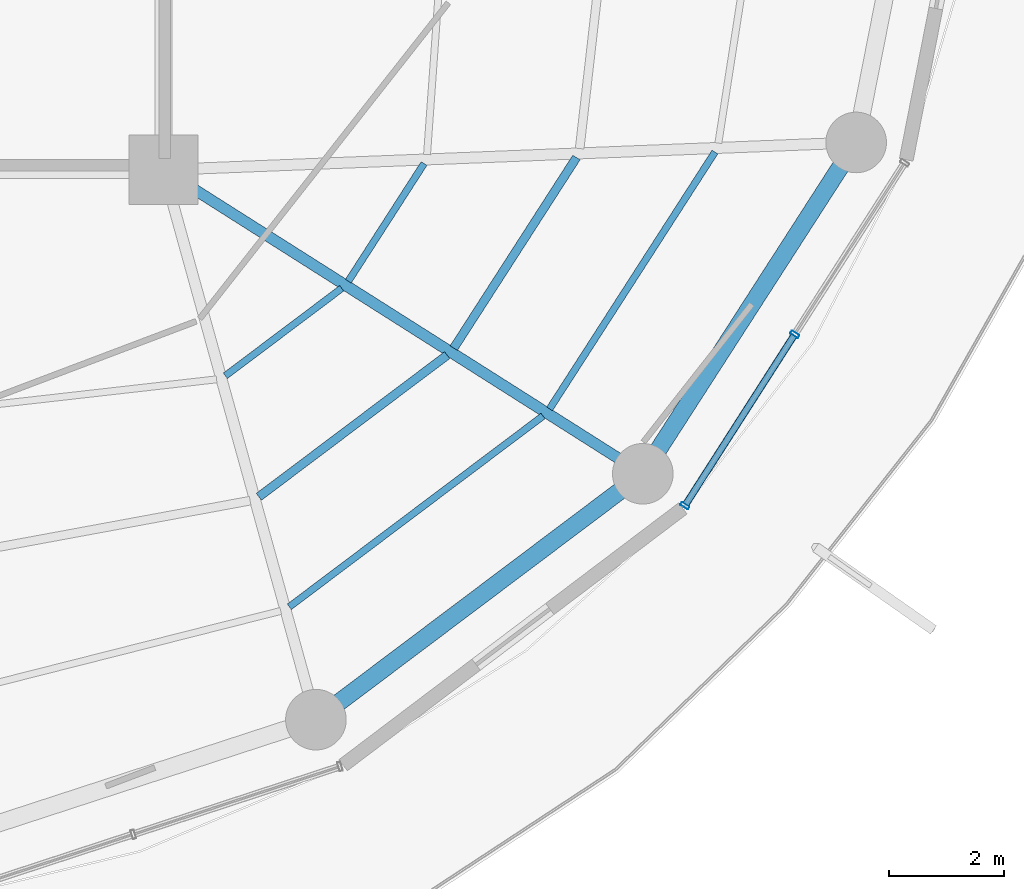
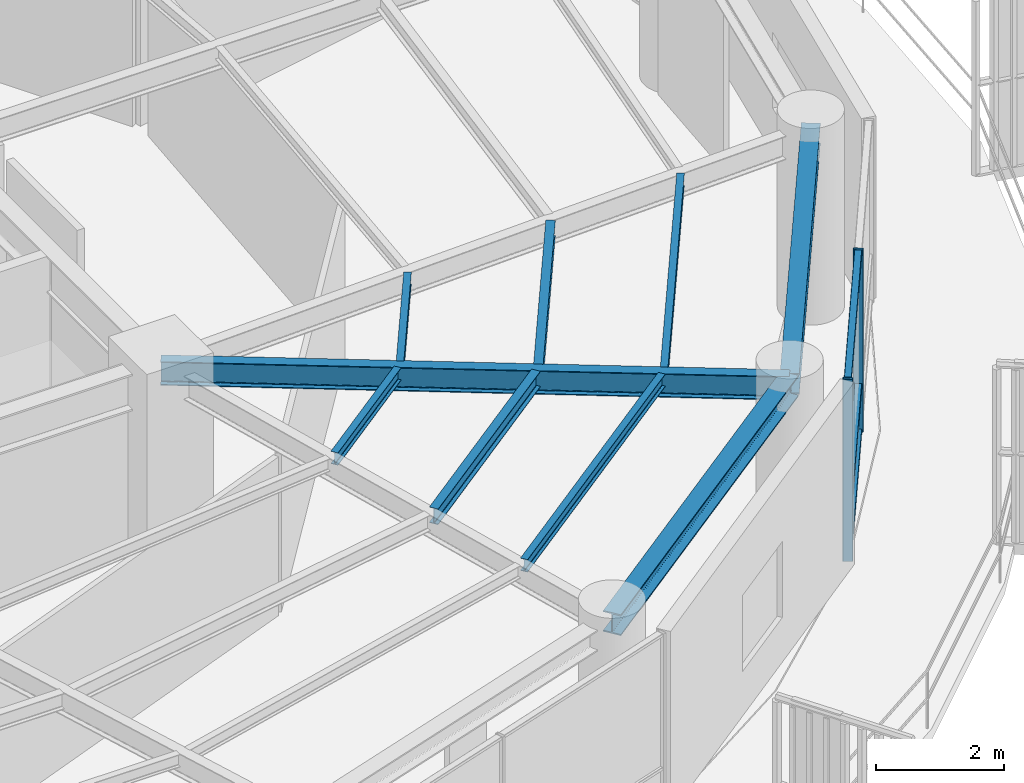
# One storey, part 11 of 31: 9 beams, 5 members, 1 element without a shape of its own.
"""IFC4 building model written with IfcOpenShell, lengths in metres."""

from ifc_helpers import new_model, si_unit, direction, frame, origin, origin_2d, place, context, subcontext, project, spatial, hollow_rectangle, i_section, extrude, material, layer, layer_set, material_profile, profile_set, type_object, element, aggregate, save


model = new_model("IFC4")

# Units and contexts
model_context = context("Model", 3, precision=1e-05, world=origin(), true_north=direction((0.0, 1.0)))
body_context = subcontext(model_context, "Body", "Model", "MODEL_VIEW")
ifc_project = project(units=[si_unit("LENGTHUNIT", "METRE"), si_unit("AREAUNIT", "SQUARE_METRE"), si_unit("VOLUMEUNIT", "CUBIC_METRE"), si_unit("PLANEANGLEUNIT", "RADIAN"), si_unit("MASSUNIT", "GRAM", prefix="KILO")], contexts=[model_context])

# Site, building, storey
site_placement = place(None, origin())
site = spatial("IfcSite", under=ifc_project, at=site_placement, CompositionType="ELEMENT")
building_placement = place(site_placement, origin())
building = spatial("IfcBuilding", under=site, at=building_placement, Name="Kelanora Arch Commons", CompositionType="ELEMENT")
storey_placement = place(building_placement, frame((0.0, 0.0, 200.699951171875)))
storey = spatial("IfcBuildingStorey", under=building, at=storey_placement, Name="L51", CompositionType="ELEMENT", Elevation=200.699951171875)

# Beams
ifc_material_1 = material(Name="Steel S355", Category="steel")
ifc_material_profile_1 = material_profile(ifc_material_1, i_section(OverallWidth=0.14990234375, OverallDepth=0.300048828125, WebThickness=0.007080078125, FlangeThickness=0.0107421875, FilletRadius=0.014892578125, at=origin_2d()), Name="IPE300")
ifc_profile_set_1 = profile_set([ifc_material_profile_1], Name="Steel S355")
beam_type_1 = type_object("IfcBeamType", Name="BM-JST-01", PredefinedType="JOIST", material=ifc_profile_set_1)
beam_1_placement = place(storey_placement, frame((83.65185546875, 45.3369140625, 3.340087890625), z_axis=(0.799101708656, 0.601195857624, 0.0), x_axis=(-0.601195857624, 0.799101708656, 0.0)))
element("IfcBeam", 1, at=beam_1_placement, inside=storey, type_object=beam_type_1, Name="Secondary Chord Joist BJB-30 L51", PredefinedType="JOIST", context=body_context, shape_type="SweptSolid", body=[
    extrude(i_section(OverallWidth=0.14990234375, OverallDepth=0.300048828125, WebThickness=0.007080078125, FlangeThickness=0.0107421875, FilletRadius=0.014892578125, at=origin_2d()), origin(), (0.0, 0.0, 1.0), 4.080810546875),
])
beam_2_placement = place(storey_placement, frame((87.02685546875, 47.912841796875, 3.340087890625), z_axis=(0.541411265892, 0.840757896879, 0.0), x_axis=(-0.840757896879, 0.541411265892, 0.0)))
element("IfcBeam", 2, at=beam_2_placement, inside=storey, type_object=beam_type_1, Name="Secondary Chord Joist BJB-32 L51", PredefinedType="JOIST", context=body_context, shape_type="SweptSolid", body=[
    extrude(i_section(OverallWidth=0.14990234375, OverallDepth=0.300048828125, WebThickness=0.007080078125, FlangeThickness=0.0107421875, FilletRadius=0.014892578125, at=origin_2d()), origin(), (0.0, 0.0, 1.0), 3.92529296875),
])
ifc_material_profile_2 = material_profile(ifc_material_1, i_section(OverallWidth=0.1201171875, OverallDepth=0.239990234375, WebThickness=0.006103515625, FlangeThickness=0.009765625, FilletRadius=0.014892578125, at=origin_2d()), Name="IPE240")
ifc_profile_set_2 = profile_set([ifc_material_profile_2], Name="Steel S355")
beam_type_2 = type_object("IfcBeamType", Name="BM-JST-02", PredefinedType="JOIST", material=ifc_profile_set_2)
beam_3_placement = place(storey_placement, frame((83.071044921875, 47.43212890625, 3.3701171875), z_axis=(0.79911638933, 0.601176343766, 0.0), x_axis=(-0.601176343766, 0.79911638933, 0.0)))
element("IfcBeam", 3, at=beam_3_placement, inside=storey, type_object=beam_type_2, Name="Secondary Chord Joist BJA-30 L51", PredefinedType="JOIST", context=body_context, shape_type="SweptSolid", body=[
    extrude(i_section(OverallWidth=0.1201171875, OverallDepth=0.239990234375, WebThickness=0.006103515625, FlangeThickness=0.009765625, FilletRadius=0.014892578125, at=origin_2d()), origin(), (0.0, 0.0, 1.0), 2.522216796875),
])
beam_4_placement = place(storey_placement, frame((84.179931640625, 43.43212890625, 3.3701171875), z_axis=(0.799109197935, 0.601185902842, 0.0), x_axis=(-0.601185902842, 0.799109197935, 0.0)))
element("IfcBeam", 4, at=beam_4_placement, inside=storey, type_object=beam_type_2, Name="Secondary Chord Joist BJC-30 L51", PredefinedType="JOIST", context=body_context, shape_type="SweptSolid", body=[
    extrude(i_section(OverallWidth=0.1201171875, OverallDepth=0.239990234375, WebThickness=0.006103515625, FlangeThickness=0.009765625, FilletRadius=0.014892578125, at=origin_2d()), origin(), (0.0, 0.0, 1.0), 5.497802734375),
])
beam_5_placement = place(storey_placement, frame((85.20068359375, 49.071044921875, 3.3701171875), z_axis=(0.541332763503, 0.840808443796, 0.0), x_axis=(-0.840808443796, 0.541332763503, 0.0)))
element("IfcBeam", 5, at=beam_5_placement, inside=storey, type_object=beam_type_2, Name="Secondary Chord Joist BJA-32 L51", PredefinedType="JOIST", context=body_context, shape_type="SweptSolid", body=[
    extrude(i_section(OverallWidth=0.1201171875, OverallDepth=0.239990234375, WebThickness=0.006103515625, FlangeThickness=0.009765625, FilletRadius=0.014892578125, at=origin_2d()), origin(), (0.0, 0.0, 1.0), 2.423583984375),
])
beam_6_placement = place(storey_placement, frame((88.68701171875, 46.85986328125, 3.3701171875), z_axis=(0.541382492679, 0.840776424872, 0.0), x_axis=(-0.840776424872, 0.541382492679, 0.0)))
element("IfcBeam", 6, at=beam_6_placement, inside=storey, type_object=beam_type_2, Name="Secondary Chord Joist BJC-32 L51", PredefinedType="JOIST", context=body_context, shape_type="SweptSolid", body=[
    extrude(i_section(OverallWidth=0.1201171875, OverallDepth=0.239990234375, WebThickness=0.006103515625, FlangeThickness=0.009765625, FilletRadius=0.014892578125, at=origin_2d()), origin(), (0.0, 0.0, 1.0), 5.29052734375),
])
ifc_material_profile_3 = material_profile(ifc_material_1, i_section(OverallWidth=0.18994140625, OverallDepth=0.449951171875, WebThickness=0.009521484375, FlangeThickness=0.0146484375, FilletRadius=0.02099609375, at=origin_2d()), Name="IPE450")
ifc_profile_set_3 = profile_set([ifc_material_profile_3], Name="Steel S355")
beam_type_3 = type_object("IfcBeamType", Name="BM-RAD-Z4", PredefinedType="BEAM", material=ifc_profile_set_3)
beam_7_placement = place(storey_placement, frame((82.0, 51.0, 3.26513671875), z_axis=(0.844507208607, -0.535544185489, 0.0), x_axis=(0.535544185489, 0.844507208607, 0.0)))
element("IfcBeam", 7, at=beam_7_placement, inside=storey, type_object=beam_type_3, Name="Radial Floor Girder BR-32 L51", PredefinedType="BEAM", context=body_context, shape_type="SweptSolid", body=[
    extrude(i_section(OverallWidth=0.18994140625, OverallDepth=0.449951171875, WebThickness=0.009521484375, FlangeThickness=0.0146484375, FilletRadius=0.02099609375, at=origin_2d()), origin(), (0.0, 0.0, 1.0), 9.830078125),
])
ifc_material_profile_4 = material_profile(ifc_material_1, i_section(OverallWidth=0.300048828125, OverallDepth=0.39990234375, WebThickness=0.013427734375, FlangeThickness=0.02392578125, FilletRadius=0.027099609375, at=origin_2d()), Name="HEB400")
ifc_profile_set_4 = profile_set([ifc_material_profile_4], Name="Steel S355")
beam_type_4 = type_object("IfcBeamType", Name="BM-SPN-Z4", PredefinedType="SPANDREL", material=ifc_profile_set_4)
beam_8_placement = place(storey_placement, frame((84.639892578125, 41.476318359375, 3.2900390625), z_axis=(0.799114211715, 0.60117923836, 0.0), x_axis=(-0.60117923836, 0.799114211715, 0.0)))
element("IfcBeam", 8, at=beam_8_placement, inside=storey, type_object=beam_type_4, Name="Perimeter Spandrel Beam BS-30 L51", PredefinedType="SPANDREL", context=body_context, shape_type="SweptSolid", body=[
    extrude(i_section(OverallWidth=0.300048828125, OverallDepth=0.39990234375, WebThickness=0.013427734375, FlangeThickness=0.02392578125, FilletRadius=0.027099609375, at=origin_2d()), origin(), (0.0, 0.0, 1.0), 7.0849609375),
])
beam_9_placement = place(storey_placement, frame((90.301513671875, 45.735595703125, 3.2900390625), z_axis=(0.541364878868, 0.840787766281, 0.0), x_axis=(-0.840787766281, 0.541364878868, 0.0)))
element("IfcBeam", 9, at=beam_9_placement, inside=storey, type_object=beam_type_4, Name="Perimeter Spandrel Beam BS-32 L51", PredefinedType="SPANDREL", context=body_context, shape_type="SweptSolid", body=[
    extrude(i_section(OverallWidth=0.300048828125, OverallDepth=0.39990234375, WebThickness=0.013427734375, FlangeThickness=0.02392578125, FilletRadius=0.027099609375, at=origin_2d()), origin(), (0.0, 0.0, 1.0), 6.825439453125),
])

# Curtain wall, members
ifc_material_2 = material(Name="Terracotta ceramic-fritted low-E glass and aluminium", Category="masonry")
ifc_layer = layer(ifc_material_2, 0.175048828125)
ifc_layer_set = layer_set([ifc_layer], Name="Terracotta ceramic-fritted low-E glass and aluminium")
curtain_wall_type = type_object("IfcCurtainWallType", Name="CW-SYS-02", PredefinedType="NOTDEFINED", material=ifc_layer_set)
curtain_wall_placement = place(storey_placement, origin())
curtain_wall = element("IfcCurtainWall", 10, at=curtain_wall_placement, inside=storey, type_object=curtain_wall_type, Name="Unitised Curtain Wall L51-B16", PredefinedType="NOTDEFINED")
ifc_material_3 = material(Name="Powder-coated aluminium terracotta", Category="masonry")
ifc_material_profile_5 = material_profile(ifc_material_3, hollow_rectangle(XDim=0.159912109375, YDim=0.06005859375, WallThickness=0.0048828125, InnerFilletRadius=0.0048828125, OuterFilletRadius=0.010009765625, at=origin_2d()), Name="CWM160x60")
ifc_profile_set_5 = profile_set([ifc_material_profile_5], Name="Powder-coated aluminium terracotta")
member_type_1 = type_object("IfcMemberType", Name="CWM-STD", PredefinedType="MULLION", material=ifc_profile_set_5)
member_1_placement = place(storey_placement, frame((91.030517578125, 45.18212890625, 0.0), z_axis=(0.0, 0.0, 1.0), x_axis=(-0.84194757539, 0.539559338994, 0.0)))
member_1 = element("IfcMember", 11, at=member_1_placement, type_object=member_type_1, Name="CW-02 mullion 1", PredefinedType="MULLION", context=body_context, shape_type="SweptSolid", body=[
    extrude(hollow_rectangle(XDim=0.159912109375, YDim=0.06005859375, WallThickness=0.0048828125, InnerFilletRadius=0.0048828125, OuterFilletRadius=0.010009765625, at=origin_2d()), origin(), (0.0, 0.0, 1.0), 3.47509765625),
])
member_2_placement = place(storey_placement, frame((92.93359375, 48.15185546875, 0.0), z_axis=(0.0, 0.0, 1.0), x_axis=(-0.84194757539, 0.539559338994, 0.0)))
member_2 = element("IfcMember", 12, at=member_2_placement, type_object=member_type_1, Name="CW-02 mullion 2", PredefinedType="MULLION", context=body_context, shape_type="SweptSolid", body=[
    extrude(hollow_rectangle(XDim=0.159912109375, YDim=0.06005859375, WallThickness=0.0048828125, InnerFilletRadius=0.0048828125, OuterFilletRadius=0.010009765625, at=origin_2d()), origin(), (0.0, 0.0, 1.0), 3.47509765625),
])
ifc_material_profile_6 = material_profile(ifc_material_3, hollow_rectangle(XDim=0.1201171875, YDim=0.06005859375, WallThickness=0.0048828125, InnerFilletRadius=0.0048828125, OuterFilletRadius=0.010009765625, at=origin_2d()), Name="CWT120x60")
ifc_profile_set_6 = profile_set([ifc_material_profile_6], Name="Powder-coated aluminium terracotta")
member_type_2 = type_object("IfcMemberType", Name="CWT-STD", PredefinedType="USERDEFINED", material=ifc_profile_set_6)
member_3_placement = place(storey_placement, frame((91.046630859375, 45.207275390625, 0.030029296875), z_axis=(0.53954710894, 0.841955412854, 0.0), x_axis=(-0.841955412854, 0.53954710894, 0.0)))
member_3 = element("IfcMember", 13, at=member_3_placement, type_object=member_type_2, Name="CW-02 transom 1.1", ObjectType="TRANSOM", PredefinedType="USERDEFINED", context=body_context, shape_type="SweptSolid", body=[
    extrude(hollow_rectangle(XDim=0.1201171875, YDim=0.06005859375, WallThickness=0.0048828125, InnerFilletRadius=0.0048828125, OuterFilletRadius=0.010009765625, at=origin_2d()), origin(), (0.0, 0.0, 1.0), 3.467529296875),
])
member_4_placement = place(storey_placement, frame((91.046630859375, 45.207275390625, 0.900146484375), z_axis=(0.53954710894, 0.841955412854, 0.0), x_axis=(-0.841955412854, 0.53954710894, 0.0)))
member_4 = element("IfcMember", 14, at=member_4_placement, type_object=member_type_2, Name="CW-02 transom 1.2", ObjectType="TRANSOM", PredefinedType="USERDEFINED", context=body_context, shape_type="SweptSolid", body=[
    extrude(hollow_rectangle(XDim=0.1201171875, YDim=0.06005859375, WallThickness=0.0048828125, InnerFilletRadius=0.0048828125, OuterFilletRadius=0.010009765625, at=origin_2d()), origin(), (0.0, 0.0, 1.0), 3.467529296875),
])
member_5_placement = place(storey_placement, frame((91.046630859375, 45.207275390625, 3.445068359375), z_axis=(0.53954710894, 0.841955412854, 0.0), x_axis=(-0.841955412854, 0.53954710894, 0.0)))
member_5 = element("IfcMember", 15, at=member_5_placement, type_object=member_type_2, Name="CW-02 transom 1.3", ObjectType="TRANSOM", PredefinedType="USERDEFINED", context=body_context, shape_type="SweptSolid", body=[
    extrude(hollow_rectangle(XDim=0.1201171875, YDim=0.06005859375, WallThickness=0.0048828125, InnerFilletRadius=0.0048828125, OuterFilletRadius=0.010009765625, at=origin_2d()), origin(), (0.0, 0.0, 1.0), 3.467529296875),
])
aggregate(curtain_wall, [member_1, member_2, member_3, member_4, member_5])

save(model, "model.ifc")
